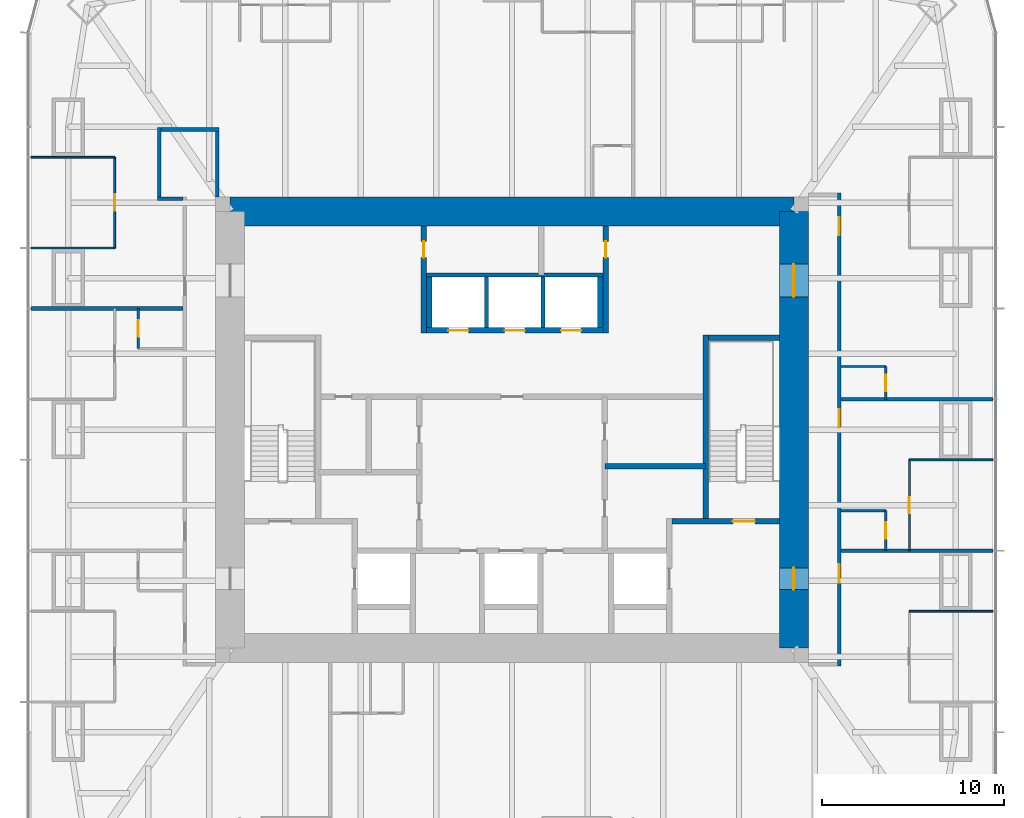
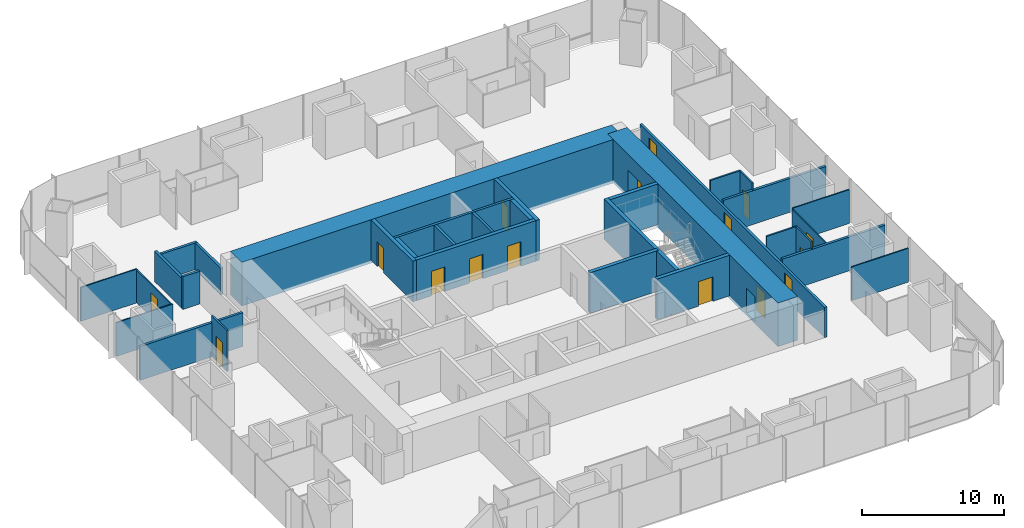
# One storey, part 10 of 12: 33 walls, 16 doors, 16 openings.
"""IFC4 building model written with IfcOpenShell, lengths in metres."""

from ifc_helpers import new_model, si_unit, direction, frame, frame_2d, origin, place, context, subcontext, project, spatial, rectangle, extrude, material, layer, layer_set, type_object, element, fill, save


model = new_model("IFC4")

# Units and contexts
model_context = context("Model", 3, precision=1e-05, world=origin(), true_north=direction((0.0, 1.0)))
body_context = subcontext(model_context, "Body", "Model", "MODEL_VIEW")
ifc_project = project(units=[si_unit("LENGTHUNIT", "METRE"), si_unit("AREAUNIT", "SQUARE_METRE"), si_unit("VOLUMEUNIT", "CUBIC_METRE"), si_unit("PLANEANGLEUNIT", "RADIAN"), si_unit("MASSUNIT", "GRAM", prefix="KILO")], contexts=[model_context])

# Site, building, storey
site_placement = place(None, origin())
site = spatial("IfcSite", under=ifc_project, at=site_placement, CompositionType="ELEMENT")
building_placement = place(site_placement, origin())
building = spatial("IfcBuilding", under=site, at=building_placement, Name="Khuree Lantern Residences", CompositionType="ELEMENT")
storey_placement = place(building_placement, frame((0.0, 0.0, 203.25)))
storey = spatial("IfcBuildingStorey", under=building, at=storey_placement, Name="L50", CompositionType="ELEMENT", Elevation=203.25)

# Wall, opening, door
ifc_material_1 = material(Name="Moisture-resistant gypsum board on steel studs", Category="steel")
ifc_layer_1 = layer(ifc_material_1, 0.125)
ifc_layer_set_1 = layer_set([ifc_layer_1], Name="BATHROOM WALL BTW125")
wall_type_1 = type_object("IfcWallType", Name="BATHROOM WALL BTW125", PredefinedType="PARTITIONING", material=ifc_layer_set_1)
wall_1_placement = place(storey_placement, frame((20.550048828125, -6.656005859375, 0.0), z_axis=(0.0, 0.0, 1.0), x_axis=(0.0, 1.0, 0.0)))
wall_1 = element("IfcWall", 1, at=wall_1_placement, inside=storey, type_object=wall_type_1, Name="L50 BATHROOM WALL 01", PredefinedType="PARTITIONING", context=body_context, shape_type="SweptSolid", body=[
    extrude(rectangle(XDim=2.199951171875, YDim=0.125, at=frame_2d((1.10009765625, 0.0))), origin(), (0.0, 0.0, 1.0), 3.5),
])
opening_1_placement = place(wall_1_placement, frame((0.64990234375, 0.0, 0.0)))
opening_1 = element("IfcOpeningElement", 2, at=opening_1_placement, cuts=wall_1, Name="Opening 50-024", PredefinedType="OPENING", context=body_context, shape_type="SweptSolid", body=[
    extrude(rectangle(XDim=0.89990234375, YDim=2.10009765625, at=frame_2d((0.449951171875, 1.050048828125))), frame((0.0, 0.072509765625, 0.0), z_axis=(0.0, -1.0, 0.0), x_axis=(1.0, 0.0, 0.0)), (0.0, 0.0, 1.0), 0.14501953125),
])
ifc_material_2 = material(Name="Timber door leaf in hardwood frame", Category="wood")
door_type_1 = type_object("IfcDoorType", Name="BATHROOM DOOR 900X2100", OperationType="SINGLE_SWING_LEFT", PredefinedType="DOOR", material=ifc_material_2)
door_1_placement = place(opening_1_placement, origin())
door_1 = element("IfcDoor", 3, at=door_1_placement, inside=storey, type_object=door_type_1, Name="Bathroom door 50-024", OperationType="SINGLE_SWING_LEFT", OverallHeight=2.10009765625, OverallWidth=0.89990234375, PredefinedType="DOOR", context=body_context, shape_type="SweptSolid", body=[
    extrude(rectangle(XDim=0.89990234375, YDim=2.10009765625, at=frame_2d((0.449951171875, 1.050048828125))), frame((0.0, 0.02490234375, 0.0), z_axis=(0.0, -1.0, 0.0), x_axis=(1.0, 0.0, 0.0)), (0.0, 0.0, 1.0), 0.050048828125),
])
fill(opening_1, door_1)

# Wall
wall_2_placement = place(storey_placement, frame((18.10009765625, -4.4560546875, 0.0), z_axis=(0.0, 0.0, 1.0), x_axis=(1.0, 0.0, 0.0)))
element("IfcWall", 4, at=wall_2_placement, inside=storey, type_object=wall_type_1, Name="L50 BATHROOM WALL 01", PredefinedType="PARTITIONING", context=body_context, shape_type="SweptSolid", body=[
    extrude(rectangle(XDim=2.449951171875, YDim=0.125, at=frame_2d((1.22509765625, 0.0))), origin(), (0.0, 0.0, 1.0), 3.5),
])

# Wall, opening, door
wall_3_placement = place(storey_placement, frame((20.550048828125, 1.6640625, 0.0), z_axis=(0.0, 0.0, 1.0), x_axis=(0.0, 1.0, 0.0)))
wall_3 = element("IfcWall", 5, at=wall_3_placement, inside=storey, type_object=wall_type_1, Name="L50 BATHROOM WALL 02", PredefinedType="PARTITIONING", context=body_context, shape_type="SweptSolid", body=[
    extrude(rectangle(XDim=1.800048828125, YDim=0.125, at=frame_2d((0.89990234375, 0.0))), origin(), (0.0, 0.0, 1.0), 3.5),
])
opening_2_placement = place(wall_3_placement, frame((0.449951171875, 0.0, 0.0)))
opening_2 = element("IfcOpeningElement", 6, at=opening_2_placement, cuts=wall_3, Name="Opening 50-029", PredefinedType="OPENING", context=body_context, shape_type="SweptSolid", body=[
    extrude(rectangle(XDim=0.89990234375, YDim=2.10009765625, at=frame_2d((0.449951171875, 1.050048828125))), frame((0.0, 0.072509765625, 0.0), z_axis=(0.0, -1.0, 0.0), x_axis=(1.0, 0.0, 0.0)), (0.0, 0.0, 1.0), 0.14501953125),
])
door_2_placement = place(opening_2_placement, origin())
door_2 = element("IfcDoor", 7, at=door_2_placement, inside=storey, type_object=door_type_1, Name="Bathroom door 50-029", OperationType="SINGLE_SWING_LEFT", OverallHeight=2.10009765625, OverallWidth=0.89990234375, PredefinedType="DOOR", context=body_context, shape_type="SweptSolid", body=[
    extrude(rectangle(XDim=0.89990234375, YDim=2.10009765625, at=frame_2d((0.449951171875, 1.050048828125))), frame((0.0, 0.02490234375, 0.0), z_axis=(0.0, -1.0, 0.0), x_axis=(1.0, 0.0, 0.0)), (0.0, 0.0, 1.0), 0.050048828125),
])
fill(opening_2, door_2)

# Wall
wall_4_placement = place(storey_placement, frame((18.10009765625, 3.464111328125, 0.0), z_axis=(0.0, 0.0, 1.0), x_axis=(1.0, 0.0, 0.0)))
element("IfcWall", 8, at=wall_4_placement, inside=storey, type_object=wall_type_1, Name="L50 BATHROOM WALL 02", PredefinedType="PARTITIONING", context=body_context, shape_type="SweptSolid", body=[
    extrude(rectangle(XDim=2.449951171875, YDim=0.125, at=frame_2d((1.22509765625, 0.0))), origin(), (0.0, 0.0, 1.0), 3.5),
])

# Wall, opening, door
wall_5_placement = place(storey_placement, frame((-20.550048828125, 6.656005859375, 0.0), z_axis=(0.0, 0.0, 1.0), x_axis=(0.0, -1.0, 0.0)))
wall_5 = element("IfcWall", 9, at=wall_5_placement, inside=storey, type_object=wall_type_1, Name="L50 BATHROOM WALL 04", PredefinedType="PARTITIONING", context=body_context, shape_type="SweptSolid", body=[
    extrude(rectangle(XDim=2.199951171875, YDim=0.125, at=frame_2d((1.10009765625, 0.0))), origin(), (0.0, 0.0, 1.0), 3.5),
])
opening_3_placement = place(wall_5_placement, frame((0.64990234375, 0.0, 0.0)))
opening_3 = element("IfcOpeningElement", 10, at=opening_3_placement, cuts=wall_5, Name="Opening 50-038", PredefinedType="OPENING", context=body_context, shape_type="SweptSolid", body=[
    extrude(rectangle(XDim=0.89990234375, YDim=2.10009765625, at=frame_2d((0.449951171875, 1.050048828125))), frame((0.0, 0.072509765625, 0.0), z_axis=(0.0, -1.0, 0.0), x_axis=(1.0, 0.0, 0.0)), (0.0, 0.0, 1.0), 0.14501953125),
])
door_3_placement = place(opening_3_placement, origin())
door_3 = element("IfcDoor", 11, at=door_3_placement, inside=storey, type_object=door_type_1, Name="Bathroom door 50-038", OperationType="SINGLE_SWING_LEFT", OverallHeight=2.10009765625, OverallWidth=0.89990234375, PredefinedType="DOOR", context=body_context, shape_type="SweptSolid", body=[
    extrude(rectangle(XDim=0.89990234375, YDim=2.10009765625, at=frame_2d((0.449951171875, 1.050048828125))), frame((0.0, 0.02490234375, 0.0), z_axis=(0.0, -1.0, 0.0), x_axis=(1.0, 0.0, 0.0)), (0.0, 0.0, 1.0), 0.050048828125),
])
fill(opening_3, door_3)

# Wall, openings, doors
ifc_material_3 = material(Name="Dense concrete blockwork", Category="masonry")
ifc_layer_2 = layer(ifc_material_3, 0.300048828125)
ifc_layer_set_2 = layer_set([ifc_layer_2], Name="CORE PARTITION WALL CPW300 EI 120")
wall_type_2 = type_object("IfcWallType", Name="CORE PARTITION WALL CPW300 EI 120", PredefinedType="PARTITIONING", material=ifc_layer_set_2)
wall_6_placement = place(storey_placement, frame((-4.699951171875, 5.449951171875, 0.0), z_axis=(0.0, 0.0, 1.0), x_axis=(1.0, 0.0, 0.0)))
wall_6 = element("IfcWall", 12, at=wall_6_placement, inside=storey, type_object=wall_type_2, Name="L50 CORE WALL PHS", PredefinedType="PARTITIONING", context=body_context, shape_type="SweptSolid", body=[
    extrude(rectangle(XDim=9.699951171875, YDim=0.300048828125, at=frame_2d((4.85009765625, 0.0))), origin(), (0.0, 0.0, 1.0), 3.5),
])
opening_4_placement = place(wall_6_placement, frame((1.199951171875, 0.0, 0.0)))
opening_4 = element("IfcOpeningElement", 13, at=opening_4_placement, cuts=wall_6, Name="Opening 50-009", PredefinedType="OPENING", context=body_context, shape_type="SweptSolid", body=[
    extrude(rectangle(XDim=1.10009765625, YDim=2.10009765625, at=frame_2d((0.550048828125, 1.050048828125))), frame((0.0, 0.16015625, 0.0), z_axis=(0.0, -1.0, 0.0), x_axis=(1.0, 0.0, 0.0)), (0.0, 0.0, 1.0), 0.320068359375),
])
opening_5_placement = place(wall_6_placement, frame((4.300048828125, 0.0, 0.0)))
opening_5 = element("IfcOpeningElement", 14, at=opening_5_placement, cuts=wall_6, Name="Opening 50-010", PredefinedType="OPENING", context=body_context, shape_type="SweptSolid", body=[
    extrude(rectangle(XDim=1.10009765625, YDim=2.10009765625, at=frame_2d((0.550048828125, 1.050048828125))), frame((0.0, 0.16015625, 0.0), z_axis=(0.0, -1.0, 0.0), x_axis=(1.0, 0.0, 0.0)), (0.0, 0.0, 1.0), 0.320068359375),
])
opening_6_placement = place(wall_6_placement, frame((7.39990234375, 0.0, 0.0)))
opening_6 = element("IfcOpeningElement", 15, at=opening_6_placement, cuts=wall_6, Name="Opening 50-011", PredefinedType="OPENING", context=body_context, shape_type="SweptSolid", body=[
    extrude(rectangle(XDim=1.10009765625, YDim=2.10009765625, at=frame_2d((0.550048828125, 1.050048828125))), frame((0.0, 0.16015625, 0.0), z_axis=(0.0, -1.0, 0.0), x_axis=(1.0, 0.0, 0.0)), (0.0, 0.0, 1.0), 0.320068359375),
])
ifc_material_4 = material(Name="Stainless steel lift landing door", Category="steel")
door_type_2 = type_object("IfcDoorType", Name="LIFT LANDING DOOR 1100X2100 E 60", OperationType="DOUBLE_DOOR_SLIDING", PredefinedType="DOOR", material=ifc_material_4)
door_4_placement = place(opening_4_placement, origin())
door_4 = element("IfcDoor", 16, at=door_4_placement, inside=storey, type_object=door_type_2, Name="Landing door PH1 50-009", OperationType="DOUBLE_DOOR_SLIDING", OverallHeight=2.10009765625, OverallWidth=1.10009765625, PredefinedType="DOOR", context=body_context, shape_type="SweptSolid", body=[
    extrude(rectangle(XDim=1.10009765625, YDim=2.10009765625, at=frame_2d((0.550048828125, 1.050048828125))), frame((0.0, 0.02490234375, 0.0), z_axis=(0.0, -1.0, 0.0), x_axis=(1.0, 0.0, 0.0)), (0.0, 0.0, 1.0), 0.050048828125),
])
fill(opening_4, door_4)
door_5_placement = place(opening_5_placement, origin())
door_5 = element("IfcDoor", 17, at=door_5_placement, inside=storey, type_object=door_type_2, Name="Landing door PH2 50-010", OperationType="DOUBLE_DOOR_SLIDING", OverallHeight=2.10009765625, OverallWidth=1.10009765625, PredefinedType="DOOR", context=body_context, shape_type="SweptSolid", body=[
    extrude(rectangle(XDim=1.10009765625, YDim=2.10009765625, at=frame_2d((0.550048828125, 1.050048828125))), frame((0.0, 0.02490234375, 0.0), z_axis=(0.0, -1.0, 0.0), x_axis=(1.0, 0.0, 0.0)), (0.0, 0.0, 1.0), 0.050048828125),
])
fill(opening_5, door_5)
door_6_placement = place(opening_6_placement, origin())
door_6 = element("IfcDoor", 18, at=door_6_placement, inside=storey, type_object=door_type_2, Name="Landing door PH3 50-011", OperationType="DOUBLE_DOOR_SLIDING", OverallHeight=2.10009765625, OverallWidth=1.10009765625, PredefinedType="DOOR", context=body_context, shape_type="SweptSolid", body=[
    extrude(rectangle(XDim=1.10009765625, YDim=2.10009765625, at=frame_2d((0.550048828125, 1.050048828125))), frame((0.0, 0.02490234375, 0.0), z_axis=(0.0, -1.0, 0.0), x_axis=(1.0, 0.0, 0.0)), (0.0, 0.0, 1.0), 0.050048828125),
])
fill(opening_6, door_6)

# Walls
for number, where, z_axis, x_axis, name in (
    (19, (-4.550048828125, 5.60009765625, 0.0), (0.0, 0.0, 1.0), (0.0, 1.0, 0.0), "L50 CORE WALL PHW"),
    (20, (4.85009765625, 5.60009765625, 0.0), (0.0, 0.0, 1.0), (0.0, 1.0, 0.0), "L50 CORE WALL PHE"),
):
    element("IfcWall", number, at=place(storey_placement, frame(where, z_axis=z_axis, x_axis=x_axis)), inside=storey, type_object=wall_type_2, Name=name, PredefinedType="PARTITIONING", context=body_context, shape_type="SweptSolid", body=[
        extrude(rectangle(XDim=2.7998046875, YDim=0.300048828125, at=frame_2d((1.39990234375, 0.0))), origin(), (0.0, 0.0, 1.0), 3.5),
    ])
wall_7_placement = place(storey_placement, frame((10.64990234375, -2.01806640625, 0.0), z_axis=(0.0, 0.0, 1.0), x_axis=(-1.0, 0.0, 0.0)))
element("IfcWall", 21, at=wall_7_placement, inside=storey, type_object=wall_type_2, Name="L50 CORE WALL EX", PredefinedType="PARTITIONING", context=body_context, shape_type="SweptSolid", body=[
    extrude(rectangle(XDim=5.5498046875, YDim=0.300048828125, at=frame_2d((2.77490234375, 0.0))), origin(), (0.0, 0.0, 1.0), 3.5),
])

# Wall, opening, door
wall_8_placement = place(storey_placement, frame((-4.85009765625, 5.300048828125, 0.0), z_axis=(0.0, 0.0, 1.0), x_axis=(0.0, 1.0, 0.0)))
wall_8 = element("IfcWall", 22, at=wall_8_placement, inside=storey, type_object=wall_type_2, Name="L50 CORE WALL NW", PredefinedType="PARTITIONING", context=body_context, shape_type="SweptSolid", body=[
    extrude(rectangle(XDim=5.89990234375, YDim=0.300048828125, at=frame_2d((2.949951171875, 0.0))), origin(), (0.0, 0.0, 1.0), 3.5),
])
opening_7_placement = place(wall_8_placement, frame((4.14990234375, 0.0, 0.0)))
opening_7 = element("IfcOpeningElement", 23, at=opening_7_placement, cuts=wall_8, Name="Opening 50-021", PredefinedType="OPENING", context=body_context, shape_type="SweptSolid", body=[
    extrude(rectangle(XDim=0.89990234375, YDim=2.10009765625, at=frame_2d((0.449951171875, 1.050048828125))), frame((0.0, 0.16015625, 0.0), z_axis=(0.0, -1.0, 0.0), x_axis=(1.0, 0.0, 0.0)), (0.0, 0.0, 1.0), 0.320068359375),
])
door_type_3 = type_object("IfcDoorType", Name="DOOR 900X2100 RIGHT HAND", OperationType="SINGLE_SWING_RIGHT", PredefinedType="DOOR", material=ifc_material_2)
door_7_placement = place(opening_7_placement, origin())
door_7 = element("IfcDoor", 24, at=door_7_placement, inside=storey, type_object=door_type_3, Name="Bulky waste store door 50-021", OperationType="SINGLE_SWING_RIGHT", OverallHeight=2.10009765625, OverallWidth=0.89990234375, PredefinedType="DOOR", context=body_context, shape_type="SweptSolid", body=[
    extrude(rectangle(XDim=0.89990234375, YDim=2.10009765625, at=frame_2d((0.449951171875, 1.050048828125))), frame((0.0, 0.02490234375, 0.0), z_axis=(0.0, -1.0, 0.0), x_axis=(1.0, 0.0, 0.0)), (0.0, 0.0, 1.0), 0.050048828125),
])
fill(opening_7, door_7)

wall_9_placement = place(storey_placement, frame((5.14990234375, 5.300048828125, 0.0), z_axis=(0.0, 0.0, 1.0), x_axis=(0.0, 1.0, 0.0)))
wall_9 = element("IfcWall", 25, at=wall_9_placement, inside=storey, type_object=wall_type_2, Name="L50 CORE WALL NE", PredefinedType="PARTITIONING", context=body_context, shape_type="SweptSolid", body=[
    extrude(rectangle(XDim=5.89990234375, YDim=0.300048828125, at=frame_2d((2.949951171875, 0.0))), origin(), (0.0, 0.0, 1.0), 3.5),
])
opening_8_placement = place(wall_9_placement, frame((4.14990234375, 0.0, 0.0)))
opening_8 = element("IfcOpeningElement", 26, at=opening_8_placement, cuts=wall_9, Name="Opening 50-022", PredefinedType="OPENING", context=body_context, shape_type="SweptSolid", body=[
    extrude(rectangle(XDim=0.89990234375, YDim=2.10009765625, at=frame_2d((0.449951171875, 1.050048828125))), frame((0.0, 0.16015625, 0.0), z_axis=(0.0, -1.0, 0.0), x_axis=(1.0, 0.0, 0.0)), (0.0, 0.0, 1.0), 0.320068359375),
])
door_type_4 = type_object("IfcDoorType", Name="DOOR 900X2100", OperationType="SINGLE_SWING_LEFT", PredefinedType="DOOR", material=ifc_material_2)
door_8_placement = place(opening_8_placement, origin())
door_8 = element("IfcDoor", 27, at=door_8_placement, inside=storey, type_object=door_type_4, Name="Building management room door 50-022", OperationType="SINGLE_SWING_LEFT", OverallHeight=2.10009765625, OverallWidth=0.89990234375, PredefinedType="DOOR", context=body_context, shape_type="SweptSolid", body=[
    extrude(rectangle(XDim=0.89990234375, YDim=2.10009765625, at=frame_2d((0.449951171875, 1.050048828125))), frame((0.0, 0.02490234375, 0.0), z_axis=(0.0, -1.0, 0.0), x_axis=(1.0, 0.0, 0.0)), (0.0, 0.0, 1.0), 0.050048828125),
])
fill(opening_8, door_8)

# Walls
ifc_material_5 = material(Name="Gypsum board on steel studs", Category="steel")
ifc_layer_3 = layer(ifc_material_5, 0.199951171875)
ifc_layer_set_3 = layer_set([ifc_layer_3], Name="CORRIDOR WALL CRW200 EI 60")
wall_type_3 = type_object("IfcWallType", Name="CORRIDOR WALL CRW200 EI 60", PredefinedType="PARTITIONING", material=ifc_layer_set_3)
wall_10_placement = place(storey_placement, frame((-18.10009765625, 12.699951171875, 0.0), z_axis=(0.0, 0.0, 1.0), x_axis=(-1.0, 0.0, 0.0)))
element("IfcWall", 28, at=wall_10_placement, inside=storey, type_object=wall_type_3, Name="L50 RESIDENTS LOUNGE WALL", PredefinedType="PARTITIONING", context=body_context, shape_type="SweptSolid", body=[
    extrude(rectangle(XDim=1.39990234375, YDim=0.199951171875, at=frame_2d((0.699951171875, 0.0))), origin(), (0.0, 0.0, 1.0), 2.81005859375),
])
wall_11_placement = place(storey_placement, frame((-19.39990234375, 12.60009765625, 0.0), z_axis=(0.0, 0.0, 1.0), x_axis=(0.0, 1.0, 0.0)))
element("IfcWall", 29, at=wall_11_placement, inside=storey, type_object=wall_type_3, Name="L50 RESIDENTS LOUNGE WALL", PredefinedType="PARTITIONING", context=body_context, shape_type="SweptSolid", body=[
    extrude(rectangle(XDim=4.0, YDim=0.199951171875, at=frame_2d((2.0, 0.0))), origin(), (0.0, 0.0, 1.0), 2.60009765625),
])
wall_12_placement = place(storey_placement, frame((-19.300048828125, 16.5, 0.0), z_axis=(0.0, 0.0, 1.0), x_axis=(1.0, 0.0, 0.0)))
element("IfcWall", 30, at=wall_12_placement, inside=storey, type_object=wall_type_3, Name="L50 RESIDENTS LOUNGE WALL", PredefinedType="PARTITIONING", context=body_context, shape_type="SweptSolid", body=[
    extrude(rectangle(XDim=3.199951171875, YDim=0.199951171875, at=frame_2d((1.60009765625, 0.0))), origin(), (0.0, 0.0, 1.0), 2.300048828125),
])
wall_13_placement = place(storey_placement, frame((-16.199951171875, 16.60009765625, 0.0), z_axis=(0.0, 0.0, 1.0), x_axis=(0.0, -1.0, 0.0)))
element("IfcWall", 31, at=wall_13_placement, inside=storey, type_object=wall_type_3, Name="L50 RESIDENTS LOUNGE WALL", PredefinedType="PARTITIONING", context=body_context, shape_type="SweptSolid", body=[
    extrude(rectangle(XDim=3.800048828125, YDim=0.199951171875, at=frame_2d((1.89990234375, 0.0))), origin(), (0.0, 0.0, 1.0), 2.300048828125),
])

# Wall, openings, doors
wall_14_placement = place(storey_placement, frame((18.0, -13.0, 0.0), z_axis=(0.0, 0.0, 1.0), x_axis=(0.0, 1.0, 0.0)))
wall_14 = element("IfcWall", 32, at=wall_14_placement, inside=storey, type_object=wall_type_3, Name="L50 CORRIDOR WALL EAST 1", PredefinedType="PARTITIONING", context=body_context, shape_type="SweptSolid", body=[
    extrude(rectangle(XDim=26.0, YDim=0.199951171875, at=frame_2d((13.0, 0.0))), origin(), (0.0, 0.0, 1.0), 2.60009765625),
])
opening_9_placement = place(wall_14_placement, frame((13.114013671875, 0.0, 0.0)))
opening_9 = element("IfcOpeningElement", 33, at=opening_9_placement, cuts=wall_14, Name="Opening 50-025", PredefinedType="OPENING", context=body_context, shape_type="SweptSolid", body=[
    extrude(rectangle(XDim=1.0, YDim=2.199951171875, at=frame_2d((0.5, 1.10009765625))), frame((0.0, 0.10986328125, 0.0), z_axis=(0.0, -1.0, 0.0), x_axis=(1.0, 0.0, 0.0)), (0.0, 0.0, 1.0), 0.219970703125),
])
opening_10_placement = place(wall_14_placement, frame((23.68408203125, 0.0, 0.0)))
opening_10 = element("IfcOpeningElement", 34, at=opening_10_placement, cuts=wall_14, Name="Opening 50-030", PredefinedType="OPENING", context=body_context, shape_type="SweptSolid", body=[
    extrude(rectangle(XDim=1.0, YDim=2.199951171875, at=frame_2d((0.5, 1.10009765625))), frame((0.0, 0.10986328125, 0.0), z_axis=(0.0, -1.0, 0.0), x_axis=(1.0, 0.0, 0.0)), (0.0, 0.0, 1.0), 0.219970703125),
])
opening_11_placement = place(wall_14_placement, frame((4.60009765625, 0.0, 0.0)))
opening_11 = element("IfcOpeningElement", 35, at=opening_11_placement, cuts=wall_14, Name="Opening 50-052", PredefinedType="OPENING", context=body_context, shape_type="SweptSolid", body=[
    extrude(rectangle(XDim=1.0, YDim=2.199951171875, at=frame_2d((0.5, 1.10009765625))), frame((0.0, 0.10986328125, 0.0), z_axis=(0.0, -1.0, 0.0), x_axis=(1.0, 0.0, 0.0)), (0.0, 0.0, 1.0), 0.219970703125),
])
door_type_5 = type_object("IfcDoorType", Name="APARTMENT ENTRANCE DOOR 1000X2200 EI 30S", OperationType="SINGLE_SWING_LEFT", PredefinedType="DOOR", material=ifc_material_2)
door_9_placement = place(opening_9_placement, origin())
door_9 = element("IfcDoor", 36, at=door_9_placement, inside=storey, type_object=door_type_5, Name="Apartment 01 entrance door 50-025", OperationType="SINGLE_SWING_LEFT", OverallHeight=2.199951171875, OverallWidth=1.0, PredefinedType="DOOR", context=body_context, shape_type="SweptSolid", body=[
    extrude(rectangle(XDim=1.0, YDim=2.199951171875, at=frame_2d((0.5, 1.10009765625))), frame((0.0, 0.02490234375, 0.0), z_axis=(0.0, -1.0, 0.0), x_axis=(1.0, 0.0, 0.0)), (0.0, 0.0, 1.0), 0.050048828125),
])
fill(opening_9, door_9)
door_10_placement = place(opening_11_placement, origin())
door_10 = element("IfcDoor", 37, at=door_10_placement, inside=storey, type_object=door_type_5, Name="Apartment 06 entrance door 50-052", OperationType="SINGLE_SWING_LEFT", OverallHeight=2.199951171875, OverallWidth=1.0, PredefinedType="DOOR", context=body_context, shape_type="SweptSolid", body=[
    extrude(rectangle(XDim=1.0, YDim=2.199951171875, at=frame_2d((0.5, 1.10009765625))), frame((0.0, 0.02490234375, 0.0), z_axis=(0.0, -1.0, 0.0), x_axis=(1.0, 0.0, 0.0)), (0.0, 0.0, 1.0), 0.050048828125),
])
fill(opening_11, door_10)
door_type_6 = type_object("IfcDoorType", Name="APARTMENT ENTRANCE DOOR 1000X2200 EI 30S RIGHT HAND", OperationType="SINGLE_SWING_RIGHT", PredefinedType="DOOR", material=ifc_material_2)
door_11_placement = place(opening_10_placement, origin())
door_11 = element("IfcDoor", 38, at=door_11_placement, inside=storey, type_object=door_type_6, Name="Apartment 02 entrance door 50-030", OperationType="SINGLE_SWING_RIGHT", OverallHeight=2.199951171875, OverallWidth=1.0, PredefinedType="DOOR", context=body_context, shape_type="SweptSolid", body=[
    extrude(rectangle(XDim=1.0, YDim=2.199951171875, at=frame_2d((0.5, 1.10009765625))), frame((0.0, 0.02490234375, 0.0), z_axis=(0.0, -1.0, 0.0), x_axis=(1.0, 0.0, 0.0)), (0.0, 0.0, 1.0), 0.050048828125),
])
fill(opening_10, door_11)

ifc_material_6 = material(Name="Concrete C50/60", Category="concrete")
ifc_layer_4 = layer(ifc_material_6, 1.60009765625)
ifc_layer_set_4 = layer_set([ifc_layer_4], Name="CW1600-C50 CORE WALL C50 1600")
wall_type_4 = type_object("IfcWallType", Name="CW1600-C50 CORE WALL C50 1600", PredefinedType="SHEAR", material=ifc_layer_set_4)
wall_15_placement = place(storey_placement, frame((15.5, -12.0, -0.25), z_axis=(0.0, 0.0, 1.0), x_axis=(0.0, 1.0, 0.0)))
wall_15 = element("IfcWall", 39, at=wall_15_placement, inside=storey, type_object=wall_type_4, Name="Core wall E", PredefinedType="SHEAR", context=body_context, shape_type="SweptSolid", body=[
    extrude(rectangle(XDim=24.0, YDim=1.60009765625, at=frame_2d((12.0, 0.0))), origin(), (0.0, 0.0, 1.0), 3.75),
])
opening_12_placement = place(wall_15_placement, frame((3.199951171875, 0.0, 0.25)))
opening_12 = element("IfcOpeningElement", 40, at=opening_12_placement, cuts=wall_15, Name="Opening 50-005", PredefinedType="OPENING", context=body_context, shape_type="SweptSolid", body=[
    extrude(rectangle(XDim=1.199951171875, YDim=2.10009765625, at=frame_2d((0.60009765625, 1.050048828125))), frame((0.0, 0.81005859375, 0.0), z_axis=(0.0, -1.0, 0.0), x_axis=(1.0, 0.0, 0.0)), (0.0, 0.0, 1.0), 1.6201171875),
])
opening_13_placement = place(wall_15_placement, frame((19.300048828125, 0.0, 0.25)))
opening_13 = element("IfcOpeningElement", 41, at=opening_13_placement, cuts=wall_15, Name="Opening 50-006", PredefinedType="OPENING", context=body_context, shape_type="SweptSolid", body=[
    extrude(rectangle(XDim=1.800048828125, YDim=2.10009765625, at=frame_2d((0.89990234375, 1.050048828125))), frame((0.0, 0.81005859375, 0.0), z_axis=(0.0, -1.0, 0.0), x_axis=(1.0, 0.0, 0.0)), (0.0, 0.0, 1.0), 1.6201171875),
])
ifc_material_7 = material(Name="Steel door leaf in steel frame", Category="steel")
door_type_7 = type_object("IfcDoorType", Name="LOBBY DOOR 1200X2100 EI 120", OperationType="SINGLE_SWING_LEFT", PredefinedType="DOOR", material=ifc_material_7)
door_12_placement = place(opening_12_placement, origin())
door_12 = element("IfcDoor", 42, at=door_12_placement, inside=storey, type_object=door_type_7, Name="Firefighting lobby door 50-005", OperationType="SINGLE_SWING_LEFT", OverallHeight=2.10009765625, OverallWidth=1.199951171875, PredefinedType="DOOR", context=body_context, shape_type="SweptSolid", body=[
    extrude(rectangle(XDim=1.199951171875, YDim=2.10009765625, at=frame_2d((0.60009765625, 1.050048828125))), frame((0.0, 0.02490234375, 0.0), z_axis=(0.0, -1.0, 0.0), x_axis=(1.0, 0.0, 0.0)), (0.0, 0.0, 1.0), 0.050048828125),
])
fill(opening_12, door_12)
door_type_8 = type_object("IfcDoorType", Name="LOBBY DOUBLE DOOR 1800X2100 EI 60", OperationType="DOUBLE_DOOR_SINGLE_SWING", PredefinedType="DOOR", material=ifc_material_7)
door_13_placement = place(opening_13_placement, origin())
door_13 = element("IfcDoor", 43, at=door_13_placement, inside=storey, type_object=door_type_8, Name="Lift lobby door 50-006", OperationType="DOUBLE_DOOR_SINGLE_SWING", OverallHeight=2.10009765625, OverallWidth=1.800048828125, PredefinedType="DOOR", context=body_context, shape_type="SweptSolid", body=[
    extrude(rectangle(XDim=1.800048828125, YDim=2.10009765625, at=frame_2d((0.89990234375, 1.050048828125))), frame((0.0, 0.02490234375, 0.0), z_axis=(0.0, -1.0, 0.0), x_axis=(1.0, 0.0, 0.0)), (0.0, 0.0, 1.0), 0.050048828125),
])
fill(opening_13, door_13)

# Walls
wall_16_placement = place(storey_placement, frame((-15.5, 12.0, -0.25), z_axis=(0.0, 0.0, 1.0), x_axis=(1.0, 0.0, 0.0)))
element("IfcWall", 44, at=wall_16_placement, inside=storey, type_object=wall_type_4, Name="Core wall N", PredefinedType="SHEAR", context=body_context, shape_type="SweptSolid", body=[
    extrude(rectangle(XDim=31.0, YDim=1.60009765625, at=frame_2d((15.5, 0.0))), origin(), (0.0, 0.0, 1.0), 3.75),
])
ifc_layer_5 = layer(ifc_material_5, 0.199951171875)
ifc_layer_set_5 = layer_set([ifc_layer_5], Name="DEMISING WALL DMW200 EI 90")
wall_type_5 = type_object("IfcWallType", Name="DEMISING WALL DMW200 EI 90", PredefinedType="PARTITIONING", material=ifc_layer_set_5)
for number, where, z_axis, x_axis, name in (
    (45, (18.10009765625, -6.656005859375, 0.0), (0.0, 0.0, 1.0), (1.0, 0.0, 0.0), "L50 DEMISING WALL 01"),
    (46, (18.10009765625, 1.6640625, 0.0), (0.0, 0.0, 1.0), (1.0, 0.0, 0.0), "L50 DEMISING WALL 02"),
    (47, (-18.10009765625, 6.656005859375, 0.0), (0.0, 0.0, 1.0), (-1.0, 0.0, 0.0), "L50 DEMISING WALL 04"),
):
    element("IfcWall", number, at=place(storey_placement, frame(where, z_axis=z_axis, x_axis=x_axis)), inside=storey, type_object=wall_type_5, Name=name, PredefinedType="PARTITIONING", context=body_context, shape_type="SweptSolid", body=[
        extrude(rectangle(XDim=8.349853515625, YDim=0.199951171875, at=frame_2d((4.1748046875, 0.0))), origin(), (0.0, 0.0, 1.0), 2.909912109375),
    ])
ifc_layer_6 = layer(ifc_material_5, 0.10009765625)
ifc_layer_set_6 = layer_set([ifc_layer_6], Name="PARTITION PT100")
wall_type_6 = type_object("IfcWallType", Name="PARTITION PT100", PredefinedType="PARTITIONING", material=ifc_layer_set_6)
for number, where, z_axis, x_axis, name in (
    (48, (21.85009765625, -1.6640625, 0.0), (0.0, 0.0, 1.0), (1.0, 0.0, 0.0), "L50 PARTITION 01"),
    (49, (-21.85009765625, 14.97607421875, 0.0), (0.0, 0.0, 1.0), (-1.0, 0.0, 0.0), "L50 PARTITION 03"),
    (50, (-21.85009765625, 9.98388671875, 0.0), (0.0, 0.0, 1.0), (-1.0, 0.0, 0.0), "L50 PARTITION 03"),
    (51, (21.85009765625, -9.98388671875, 0.0), (0.0, 0.0, 1.0), (1.0, 0.0, 0.0), "L50 PARTITION 06"),
):
    element("IfcWall", number, at=place(storey_placement, frame(where, z_axis=z_axis, x_axis=x_axis)), inside=storey, type_object=wall_type_6, Name=name, PredefinedType="PARTITIONING", context=body_context, shape_type="SweptSolid", body=[
        extrude(rectangle(XDim=4.599853515625, YDim=0.10009765625, at=frame_2d((2.2998046875, 0.0))), origin(), (0.0, 0.0, 1.0), 2.909912109375),
    ])

# Wall, opening, door
wall_17_placement = place(storey_placement, frame((21.85009765625, -6.656005859375, 0.0), z_axis=(0.0, 0.0, 1.0), x_axis=(0.0, 1.0, 0.0)))
wall_17 = element("IfcWall", 52, at=wall_17_placement, inside=storey, type_object=wall_type_6, Name="L50 PARTITION 01", PredefinedType="PARTITIONING", context=body_context, shape_type="SweptSolid", body=[
    extrude(rectangle(XDim=4.991943359375, YDim=0.10009765625, at=frame_2d((2.49609375, 0.0))), origin(), (0.0, 0.0, 1.0), 2.81005859375),
])
opening_14_placement = place(wall_17_placement, frame((2.0458984375, 0.0, 0.0)))
opening_14 = element("IfcOpeningElement", 53, at=opening_14_placement, cuts=wall_17, Name="Opening 50-023", PredefinedType="OPENING", context=body_context, shape_type="SweptSolid", body=[
    extrude(rectangle(XDim=0.89990234375, YDim=2.10009765625, at=frame_2d((0.449951171875, 1.050048828125))), frame((0.0, 0.06005859375, 0.0), z_axis=(0.0, -1.0, 0.0), x_axis=(1.0, 0.0, 0.0)), (0.0, 0.0, 1.0), 0.1201171875),
])
door_type_9 = type_object("IfcDoorType", Name="BEDROOM DOOR 900X2100", OperationType="SINGLE_SWING_LEFT", PredefinedType="DOOR", material=ifc_material_2)
door_14_placement = place(opening_14_placement, origin())
door_14 = element("IfcDoor", 54, at=door_14_placement, inside=storey, type_object=door_type_9, Name="Bedroom door 50-023", OperationType="SINGLE_SWING_LEFT", OverallHeight=2.10009765625, OverallWidth=0.89990234375, PredefinedType="DOOR", context=body_context, shape_type="SweptSolid", body=[
    extrude(rectangle(XDim=0.89990234375, YDim=2.10009765625, at=frame_2d((0.449951171875, 1.050048828125))), frame((0.0, 0.02490234375, 0.0), z_axis=(0.0, -1.0, 0.0), x_axis=(1.0, 0.0, 0.0)), (0.0, 0.0, 1.0), 0.050048828125),
])
fill(opening_14, door_14)

wall_18_placement = place(storey_placement, frame((-21.85009765625, 14.97607421875, 0.0), z_axis=(0.0, 0.0, 1.0), x_axis=(0.0, -1.0, 0.0)))
wall_18 = element("IfcWall", 55, at=wall_18_placement, inside=storey, type_object=wall_type_6, Name="L50 PARTITION 03", PredefinedType="PARTITIONING", context=body_context, shape_type="SweptSolid", body=[
    extrude(rectangle(XDim=4.9921875, YDim=0.10009765625, at=frame_2d((2.49609375, 0.0))), origin(), (0.0, 0.0, 1.0), 2.81005859375),
])
opening_15_placement = place(wall_18_placement, frame((2.0458984375, 0.0, 0.0)))
opening_15 = element("IfcOpeningElement", 56, at=opening_15_placement, cuts=wall_18, Name="Opening 50-034", PredefinedType="OPENING", context=body_context, shape_type="SweptSolid", body=[
    extrude(rectangle(XDim=0.89990234375, YDim=2.10009765625, at=frame_2d((0.449951171875, 1.050048828125))), frame((0.0, 0.06005859375, 0.0), z_axis=(0.0, -1.0, 0.0), x_axis=(1.0, 0.0, 0.0)), (0.0, 0.0, 1.0), 0.1201171875),
])
door_15_placement = place(opening_15_placement, origin())
door_15 = element("IfcDoor", 57, at=door_15_placement, inside=storey, type_object=door_type_9, Name="Bedroom door 50-034", OperationType="SINGLE_SWING_LEFT", OverallHeight=2.10009765625, OverallWidth=0.89990234375, PredefinedType="DOOR", context=body_context, shape_type="SweptSolid", body=[
    extrude(rectangle(XDim=0.89990234375, YDim=2.10009765625, at=frame_2d((0.449951171875, 1.050048828125))), frame((0.0, 0.02490234375, 0.0), z_axis=(0.0, -1.0, 0.0), x_axis=(1.0, 0.0, 0.0)), (0.0, 0.0, 1.0), 0.050048828125),
])
fill(opening_15, door_15)

# Walls
ifc_layer_7 = layer(ifc_material_3, 0.199951171875)
ifc_layer_set_7 = layer_set([ifc_layer_7], Name="SHAFT WALL SHW200 EI 120")
wall_type_7 = type_object("IfcWallType", Name="SHAFT WALL SHW200 EI 120", PredefinedType="PARTITIONING", material=ifc_layer_set_7)
wall_19_placement = place(storey_placement, frame((-4.699951171875, 8.5, 0.0), z_axis=(0.0, 0.0, 1.0), x_axis=(1.0, 0.0, 0.0)))
element("IfcWall", 58, at=wall_19_placement, inside=storey, type_object=wall_type_7, Name="L50 CORE WALL PHN", PredefinedType="PARTITIONING", context=body_context, shape_type="SweptSolid", body=[
    extrude(rectangle(XDim=9.699951171875, YDim=0.199951171875, at=frame_2d((4.85009765625, 0.0))), origin(), (0.0, 0.0, 1.0), 3.5),
])
for number, where, z_axis, x_axis, name in (
    (59, (-1.39990234375, 5.60009765625, 0.0), (0.0, 0.0, 1.0), (0.0, 1.0, 0.0), "L50 CORE WALL PHD1"),
    (60, (1.699951171875, 5.60009765625, 0.0), (0.0, 0.0, 1.0), (0.0, 1.0, 0.0), "L50 CORE WALL PHD2"),
):
    element("IfcWall", number, at=place(storey_placement, frame(where, z_axis=z_axis, x_axis=x_axis)), inside=storey, type_object=wall_type_7, Name=name, PredefinedType="PARTITIONING", context=body_context, shape_type="SweptSolid", body=[
        extrude(rectangle(XDim=2.7998046875, YDim=0.199951171875, at=frame_2d((1.39990234375, 0.0))), origin(), (0.0, 0.0, 1.0), 3.5),
    ])
ifc_layer_8 = layer(ifc_material_6, 0.300048828125)
ifc_layer_set_8 = layer_set([ifc_layer_8], Name="STAIR WALL SRW300 C50/60 REI 240")
wall_type_8 = type_object("IfcWallType", Name="STAIR WALL SRW300 C50/60 REI 240", PredefinedType="SOLIDWALL", material=ifc_layer_set_8)
wall_20_placement = place(storey_placement, frame((10.64990234375, -4.89990234375, 0.0), z_axis=(0.0, 0.0, 1.0), x_axis=(0.0, 1.0, 0.0)))
element("IfcWall", 61, at=wall_20_placement, inside=storey, type_object=wall_type_8, Name="L50 STAIR WALL ST2E", PredefinedType="SOLIDWALL", context=body_context, shape_type="SweptSolid", body=[
    extrude(rectangle(XDim=10.099853515625, YDim=0.300048828125, at=frame_2d((5.0498046875, 0.0))), origin(), (0.0, 0.0, 1.0), 3.5),
])

# Wall, opening, door
wall_21_placement = place(storey_placement, frame((14.699951171875, -5.050048828125, 0.0), z_axis=(0.0, 0.0, 1.0), x_axis=(-1.0, 0.0, 0.0)))
wall_21 = element("IfcWall", 62, at=wall_21_placement, inside=storey, type_object=wall_type_8, Name="L50 STAIR WALL ST2S", PredefinedType="SOLIDWALL", context=body_context, shape_type="SweptSolid", body=[
    extrude(rectangle(XDim=5.89990234375, YDim=0.300048828125, at=frame_2d((2.949951171875, 0.0))), origin(), (0.0, 0.0, 1.0), 3.5),
])
opening_16_placement = place(wall_21_placement, frame((1.35009765625, 0.0, 0.0)))
opening_16 = element("IfcOpeningElement", 63, at=opening_16_placement, cuts=wall_21, Name="Opening 50-004", PredefinedType="OPENING", context=body_context, shape_type="SweptSolid", body=[
    extrude(rectangle(XDim=1.199951171875, YDim=2.10009765625, at=frame_2d((0.60009765625, 1.050048828125))), frame((0.0, 0.16015625, 0.0), z_axis=(0.0, -1.0, 0.0), x_axis=(1.0, 0.0, 0.0)), (0.0, 0.0, 1.0), 0.320068359375),
])
door_type_10 = type_object("IfcDoorType", Name="STAIR DOOR 1200X2100 EI 120", OperationType="SINGLE_SWING_LEFT", PredefinedType="DOOR", material=ifc_material_7)
door_16_placement = place(opening_16_placement, origin())
door_16 = element("IfcDoor", 64, at=door_16_placement, inside=storey, type_object=door_type_10, Name="Stair ST2 door 50-004", OperationType="SINGLE_SWING_LEFT", OverallHeight=2.10009765625, OverallWidth=1.199951171875, PredefinedType="DOOR", context=body_context, shape_type="SweptSolid", body=[
    extrude(rectangle(XDim=1.199951171875, YDim=2.10009765625, at=frame_2d((0.60009765625, 1.050048828125))), frame((0.0, 0.02490234375, 0.0), z_axis=(0.0, -1.0, 0.0), x_axis=(1.0, 0.0, 0.0)), (0.0, 0.0, 1.0), 0.050048828125),
])
fill(opening_16, door_16)

# Wall
wall_22_placement = place(storey_placement, frame((14.699951171875, 5.050048828125, 0.0), z_axis=(0.0, 0.0, 1.0), x_axis=(-1.0, 0.0, 0.0)))
element("IfcWall", 65, at=wall_22_placement, inside=storey, type_object=wall_type_8, Name="L50 STAIR WALL ST2N", PredefinedType="SOLIDWALL", context=body_context, shape_type="SweptSolid", body=[
    extrude(rectangle(XDim=3.89990234375, YDim=0.300048828125, at=frame_2d((1.949951171875, 0.0))), origin(), (0.0, 0.0, 1.0), 3.5),
])

save(model, "model.ifc")
